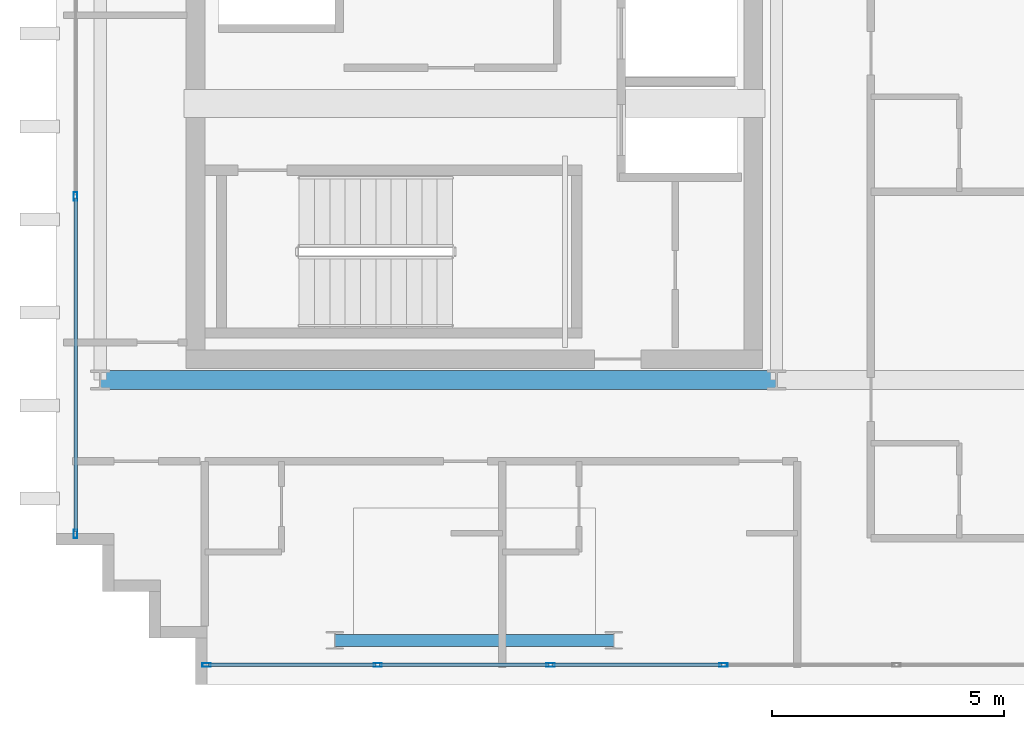
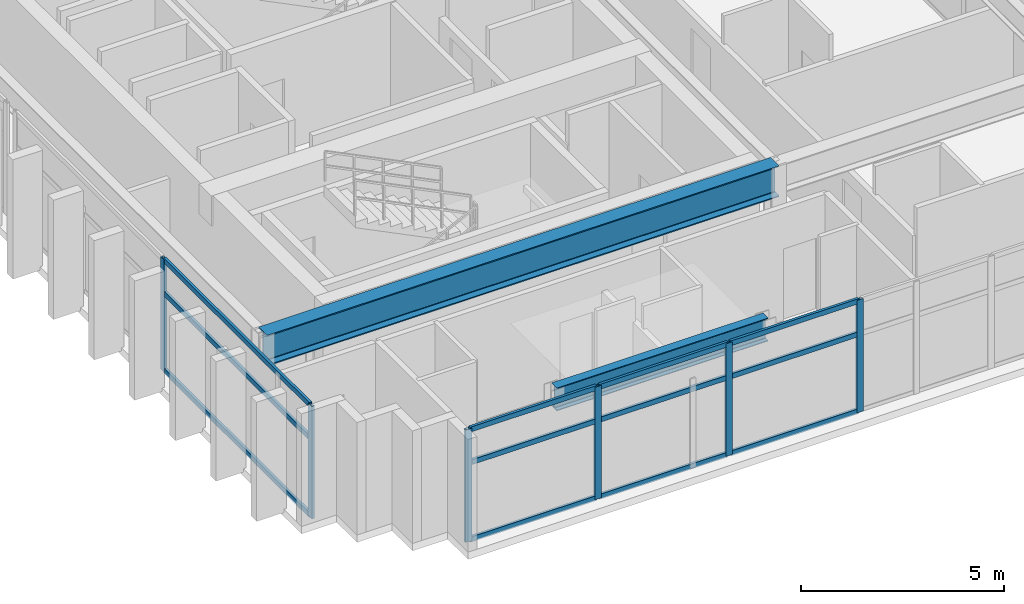
# One storey, part 2 of 15: 18 members, 2 beams, 2 elements without a shape of their own.
"""IFC4 building model written with IfcOpenShell, lengths in metres."""

from ifc_helpers import new_model, si_unit, direction, frame, origin, origin_2d, place, context, subcontext, project, spatial, hollow_rectangle, i_section, extrude, source, transform, mapped, material, layer, layer_set, material_profile, profile_set, type_object, element, aggregate, save


model = new_model("IFC4")

# Units and contexts
model_context = context("Model", 3, precision=1e-05, world=origin(), true_north=direction((0.0, 1.0)))
body_context = subcontext(model_context, "Body", "Model", "MODEL_VIEW")
ifc_project = project(units=[si_unit("LENGTHUNIT", "METRE"), si_unit("AREAUNIT", "SQUARE_METRE"), si_unit("VOLUMEUNIT", "CUBIC_METRE"), si_unit("PLANEANGLEUNIT", "RADIAN"), si_unit("MASSUNIT", "GRAM", prefix="KILO")], contexts=[model_context])

# Site, building, storey
site_placement = place(None, origin())
site = spatial("IfcSite", under=ifc_project, at=site_placement, CompositionType="ELEMENT")
building_placement = place(site_placement, origin())
building = spatial("IfcBuilding", under=site, at=building_placement, Name="Ocotamira Hotel", CompositionType="ELEMENT")
storey_placement = place(building_placement, frame((0.0, 0.0, 286.800048828125)))
storey = spatial("IfcBuildingStorey", under=building, at=storey_placement, Name="L73", CompositionType="ELEMENT", Elevation=286.800048828125)

# Beams
ifc_material_1 = material(Name="Steel ASTM A992 Grade 50", Category="steel")
ifc_material_profile_1 = material_profile(ifc_material_1, i_section(OverallWidth=0.41796875, OverallDepth=0.927001953125, WebThickness=0.019287109375, FlangeThickness=0.031982421875, FilletRadius=0.02392578125, at=origin_2d()), Name="W36X231")
ifc_profile_set_1 = profile_set([ifc_material_profile_1], Name="Steel ASTM A992 Grade 50")
beam_type_1 = type_object("IfcBeamType", Name="BM-GIRD-W36X231", PredefinedType="BEAM", material=ifc_profile_set_1)
shared_shape_1 = source(origin(), body_context, "Body", "SweptSolid", [
    extrude(i_section(OverallWidth=0.41796875, OverallDepth=0.927001953125, WebThickness=0.019287109375, FlangeThickness=0.031982421875, FilletRadius=0.02392578125, at=origin_2d()), origin(), (0.0, 0.0, 1.0), 14.550048828125),
])
beam_1_placement = place(storey_placement, frame((8.949951171875, 14.550048828125, 2.91650390625), z_axis=(1.0, 0.0, 0.0), x_axis=(0.0, 1.0, 0.0)))
element("IfcBeam", 1, at=beam_1_placement, inside=storey, type_object=beam_type_1, Name="L73 Girder Y14.55 X8.95-23.5", PredefinedType="BEAM", context=body_context, shape_type="MappedRepresentation", body=[
    mapped(shared_shape_1, transform((0.0, 0.0, 0.0), scale=1.0)),
])
ifc_material_profile_2 = material_profile(ifc_material_1, i_section(OverallWidth=0.256103515625, OverallDepth=0.693115234375, WebThickness=0.014404296875, FlangeThickness=0.023681640625, FilletRadius=0.01611328125, at=origin_2d()), Name="W27X114")
ifc_profile_set_2 = profile_set([ifc_material_profile_2], Name="Steel ASTM A992 Grade 50")
beam_type_2 = type_object("IfcBeamType", Name="BM-PRIM-W27X114", PredefinedType="BEAM", material=ifc_profile_set_2)
shared_shape_2 = source(origin(), body_context, "Body", "SweptSolid", [
    extrude(i_section(OverallWidth=0.256103515625, OverallDepth=0.693115234375, WebThickness=0.014404296875, FlangeThickness=0.023681640625, FilletRadius=0.01611328125, at=origin_2d()), origin(), (0.0, 0.0, 1.0), 6.0),
])
beam_2_placement = place(storey_placement, frame((14.0, 8.949951171875, 3.033447265625), z_axis=(1.0, 0.0, 0.0), x_axis=(0.0, 1.0, 0.0)))
element("IfcBeam", 2, at=beam_2_placement, inside=storey, type_object=beam_type_2, Name="L73 Girder Y8.95 X14-20", PredefinedType="BEAM", context=body_context, shape_type="MappedRepresentation", body=[
    mapped(shared_shape_2, transform((0.0, 0.0, 0.0), scale=1.0)),
])

# Curtain wall, members
ifc_material_2 = material(Name="Anodised pale-metal aluminium and solar glass", Category="aluminium")
ifc_layer = layer(ifc_material_2, 0.2099609375)
ifc_layer_set = layer_set([ifc_layer], Name="Anodised pale-metal aluminium and solar glass")
curtain_wall_type = type_object("IfcCurtainWallType", Name="CW-SYS7-PEAK", PredefinedType="NOTDEFINED", material=ifc_layer_set)
curtain_wall_1_placement = place(storey_placement, origin())
curtain_wall_1 = element("IfcCurtainWall", 3, at=curtain_wall_1_placement, inside=storey, type_object=curtain_wall_type, Name="L73 Curtain Wall CW-7 CW-L73-S1", PredefinedType="NOTDEFINED")
ifc_material_3 = material(Name="Anodised pale-metal aluminium 6063-T6", Category="aluminium")
ifc_material_profile_3 = material_profile(ifc_material_3, hollow_rectangle(XDim=0.080078125, YDim=0.179931640625, WallThickness=0.006103515625, at=origin_2d()), Name="HSS180X80X6")
ifc_profile_set_3 = profile_set([ifc_material_profile_3], Name="Anodised pale-metal aluminium 6063-T6")
member_type_1 = type_object("IfcMemberType", Name="CWM-180X75", PredefinedType="MULLION", material=ifc_profile_set_3)
shared_shape_3 = source(origin(), body_context, "Body", "SweptSolid", [
    extrude(hollow_rectangle(XDim=0.080078125, YDim=0.179931640625, WallThickness=0.006103515625, at=origin_2d()), origin(), (0.0, 0.0, 1.0), 3.3798828125),
])
member_1_placement = place(storey_placement, frame((11.239990234375, 8.419921875, 0.0), z_axis=(0.0, 0.0, 1.0), x_axis=(0.0, 1.0, 0.0)))
member_1 = element("IfcMember", 4, at=member_1_placement, type_object=member_type_1, Name="CW-7 mullion 1", PredefinedType="MULLION", context=body_context, shape_type="MappedRepresentation", body=[
    mapped(shared_shape_3, transform((0.0, 0.0, 0.0), scale=1.0)),
])
member_2_placement = place(storey_placement, frame((14.919921875, 8.419921875, 0.0), z_axis=(0.0, 0.0, 1.0), x_axis=(0.0, 1.0, 0.0)))
member_2 = element("IfcMember", 5, at=member_2_placement, type_object=member_type_1, Name="CW-7 mullion 2", PredefinedType="MULLION", context=body_context, shape_type="MappedRepresentation", body=[
    mapped(shared_shape_3, transform((0.0, 0.0, 0.0), scale=1.0)),
])
member_3_placement = place(storey_placement, frame((18.639892578125, 8.419921875, 0.0), z_axis=(0.0, 0.0, 1.0), x_axis=(0.0, 1.0, 0.0)))
member_3 = element("IfcMember", 6, at=member_3_placement, type_object=member_type_1, Name="CW-7 mullion 3", PredefinedType="MULLION", context=body_context, shape_type="MappedRepresentation", body=[
    mapped(shared_shape_3, transform((0.0, 0.0, 0.0), scale=1.0)),
])
member_4_placement = place(storey_placement, frame((22.360107421875, 8.419921875, 0.0), z_axis=(0.0, 0.0, 1.0), x_axis=(0.0, 1.0, 0.0)))
member_4 = element("IfcMember", 7, at=member_4_placement, type_object=member_type_1, Name="CW-7 mullion 4", PredefinedType="MULLION", context=body_context, shape_type="MappedRepresentation", body=[
    mapped(shared_shape_3, transform((0.0, 0.0, 0.0), scale=1.0)),
])

curtain_wall_2_placement = place(storey_placement, origin())
curtain_wall_2 = element("IfcCurtainWall", 8, at=curtain_wall_2_placement, inside=storey, type_object=curtain_wall_type, Name="L73 Curtain Wall CW-7 CW-L73-W1", PredefinedType="NOTDEFINED")
member_5_placement = place(storey_placement, frame((8.419921875, 11.239990234375, 0.0), z_axis=(0.0, 0.0, 1.0), x_axis=(-1.0, 0.0, 0.0)))
member_5 = element("IfcMember", 9, at=member_5_placement, type_object=member_type_1, Name="CW-7 mullion 1", PredefinedType="MULLION", context=body_context, shape_type="MappedRepresentation", body=[
    mapped(shared_shape_3, transform((0.0, 0.0, 0.0), scale=1.0)),
])
member_6_placement = place(storey_placement, frame((8.419921875, 18.5, 0.0), z_axis=(0.0, 0.0, 1.0), x_axis=(-1.0, 0.0, 0.0)))
member_6 = element("IfcMember", 10, at=member_6_placement, type_object=member_type_1, Name="CW-7 mullion 2", PredefinedType="MULLION", context=body_context, shape_type="MappedRepresentation", body=[
    mapped(shared_shape_3, transform((0.0, 0.0, 0.0), scale=1.0)),
])
ifc_material_profile_4 = material_profile(ifc_material_3, hollow_rectangle(XDim=0.074951171875, YDim=0.14990234375, WallThickness=0.006103515625, at=origin_2d()), Name="HSS150X75X6")
ifc_profile_set_4 = profile_set([ifc_material_profile_4], Name="Anodised pale-metal aluminium 6063-T6")
member_type_2 = type_object("IfcMemberType", Name="CWT-150X75", PredefinedType="USERDEFINED", material=ifc_profile_set_4)
shared_shape_4 = source(origin(), body_context, "Body", "SweptSolid", [
    extrude(hollow_rectangle(XDim=0.074951171875, YDim=0.14990234375, WallThickness=0.006103515625, at=origin_2d()), origin(), (0.0, 0.0, 1.0), 7.179931640625),
])
member_7_placement = place(storey_placement, frame((8.419921875, 11.280029296875, 0.037353515625), z_axis=(0.0, 1.0, 0.0), x_axis=(-1.0, 0.0, 0.0)))
member_7 = element("IfcMember", 11, at=member_7_placement, type_object=member_type_2, Name="CW-7 transom 1.1", ObjectType="TRANSOM", PredefinedType="USERDEFINED", context=body_context, shape_type="MappedRepresentation", body=[
    mapped(shared_shape_4, transform((0.0, 0.0, 0.0), scale=1.0)),
])
member_8_placement = place(storey_placement, frame((8.419921875, 11.280029296875, 2.349853515625), z_axis=(0.0, 1.0, 0.0), x_axis=(-1.0, 0.0, 0.0)))
member_8 = element("IfcMember", 12, at=member_8_placement, type_object=member_type_2, Name="CW-7 transom 1.2", ObjectType="TRANSOM", PredefinedType="USERDEFINED", context=body_context, shape_type="MappedRepresentation", body=[
    mapped(shared_shape_4, transform((0.0, 0.0, 0.0), scale=1.0)),
])
member_9_placement = place(storey_placement, frame((8.419921875, 11.280029296875, 3.342529296875), z_axis=(0.0, 1.0, 0.0), x_axis=(-1.0, 0.0, 0.0)))
member_9 = element("IfcMember", 13, at=member_9_placement, type_object=member_type_2, Name="CW-7 transom 1.3", ObjectType="TRANSOM", PredefinedType="USERDEFINED", context=body_context, shape_type="MappedRepresentation", body=[
    mapped(shared_shape_4, transform((0.0, 0.0, 0.0), scale=1.0)),
])
aggregate(curtain_wall_2, [member_5, member_6, member_7, member_8, member_9])

# Member
shared_shape_5 = source(origin(), body_context, "Body", "SweptSolid", [
    extrude(hollow_rectangle(XDim=0.074951171875, YDim=0.14990234375, WallThickness=0.006103515625, at=origin_2d()), origin(), (0.0, 0.0, 1.0), 3.599853515625),
])
member_10_placement = place(storey_placement, frame((11.280029296875, 8.419921875, 0.037353515625), z_axis=(1.0, 0.0, 0.0), x_axis=(0.0, 1.0, 0.0)))
member_10 = element("IfcMember", 14, at=member_10_placement, type_object=member_type_2, Name="CW-7 transom 1.1", ObjectType="TRANSOM", PredefinedType="USERDEFINED", context=body_context, shape_type="MappedRepresentation", body=[
    mapped(shared_shape_5, transform((0.0, 0.0, 0.0), scale=1.0)),
])

member_11_placement = place(storey_placement, frame((11.280029296875, 8.419921875, 2.349853515625), z_axis=(1.0, 0.0, 0.0), x_axis=(0.0, 1.0, 0.0)))
member_11 = element("IfcMember", 15, at=member_11_placement, type_object=member_type_2, Name="CW-7 transom 1.2", ObjectType="TRANSOM", PredefinedType="USERDEFINED", context=body_context, shape_type="MappedRepresentation", body=[
    mapped(shared_shape_5, transform((0.0, 0.0, 0.0), scale=1.0)),
])

member_12_placement = place(storey_placement, frame((11.280029296875, 8.419921875, 3.342529296875), z_axis=(1.0, 0.0, 0.0), x_axis=(0.0, 1.0, 0.0)))
member_12 = element("IfcMember", 16, at=member_12_placement, type_object=member_type_2, Name="CW-7 transom 1.3", ObjectType="TRANSOM", PredefinedType="USERDEFINED", context=body_context, shape_type="MappedRepresentation", body=[
    mapped(shared_shape_5, transform((0.0, 0.0, 0.0), scale=1.0)),
])

shared_shape_6 = source(origin(), body_context, "Body", "SweptSolid", [
    extrude(hollow_rectangle(XDim=0.074951171875, YDim=0.14990234375, WallThickness=0.006103515625, at=origin_2d()), origin(), (0.0, 0.0, 1.0), 3.64013671875),
])
member_13_placement = place(storey_placement, frame((14.9599609375, 8.419921875, 0.037353515625), z_axis=(1.0, 0.0, 0.0), x_axis=(0.0, 1.0, 0.0)))
member_13 = element("IfcMember", 17, at=member_13_placement, type_object=member_type_2, Name="CW-7 transom 2.1", ObjectType="TRANSOM", PredefinedType="USERDEFINED", context=body_context, shape_type="MappedRepresentation", body=[
    mapped(shared_shape_6, transform((0.0, 0.0, 0.0), scale=1.0)),
])

member_14_placement = place(storey_placement, frame((14.9599609375, 8.419921875, 2.349853515625), z_axis=(1.0, 0.0, 0.0), x_axis=(0.0, 1.0, 0.0)))
member_14 = element("IfcMember", 18, at=member_14_placement, type_object=member_type_2, Name="CW-7 transom 2.2", ObjectType="TRANSOM", PredefinedType="USERDEFINED", context=body_context, shape_type="MappedRepresentation", body=[
    mapped(shared_shape_6, transform((0.0, 0.0, 0.0), scale=1.0)),
])

member_15_placement = place(storey_placement, frame((14.9599609375, 8.419921875, 3.342529296875), z_axis=(1.0, 0.0, 0.0), x_axis=(0.0, 1.0, 0.0)))
member_15 = element("IfcMember", 19, at=member_15_placement, type_object=member_type_2, Name="CW-7 transom 2.3", ObjectType="TRANSOM", PredefinedType="USERDEFINED", context=body_context, shape_type="MappedRepresentation", body=[
    mapped(shared_shape_6, transform((0.0, 0.0, 0.0), scale=1.0)),
])

member_16_placement = place(storey_placement, frame((18.679931640625, 8.419921875, 0.037353515625), z_axis=(1.0, 0.0, 0.0), x_axis=(0.0, 1.0, 0.0)))
member_16 = element("IfcMember", 20, at=member_16_placement, type_object=member_type_2, Name="CW-7 transom 3.1", ObjectType="TRANSOM", PredefinedType="USERDEFINED", context=body_context, shape_type="MappedRepresentation", body=[
    mapped(shared_shape_6, transform((0.0, 0.0, 0.0), scale=1.0)),
])

member_17_placement = place(storey_placement, frame((18.679931640625, 8.419921875, 2.349853515625), z_axis=(1.0, 0.0, 0.0), x_axis=(0.0, 1.0, 0.0)))
member_17 = element("IfcMember", 21, at=member_17_placement, type_object=member_type_2, Name="CW-7 transom 3.2", ObjectType="TRANSOM", PredefinedType="USERDEFINED", context=body_context, shape_type="MappedRepresentation", body=[
    mapped(shared_shape_6, transform((0.0, 0.0, 0.0), scale=1.0)),
])

member_18_placement = place(storey_placement, frame((18.679931640625, 8.419921875, 3.342529296875), z_axis=(1.0, 0.0, 0.0), x_axis=(0.0, 1.0, 0.0)))
member_18 = element("IfcMember", 22, at=member_18_placement, type_object=member_type_2, Name="CW-7 transom 3.3", ObjectType="TRANSOM", PredefinedType="USERDEFINED", context=body_context, shape_type="MappedRepresentation", body=[
    mapped(shared_shape_6, transform((0.0, 0.0, 0.0), scale=1.0)),
])

aggregate(curtain_wall_1, [member_1, member_2, member_3, member_4, member_10, member_11, member_12, member_13, member_14, member_15, member_16, member_17, member_18])

save(model, "model.ifc")
